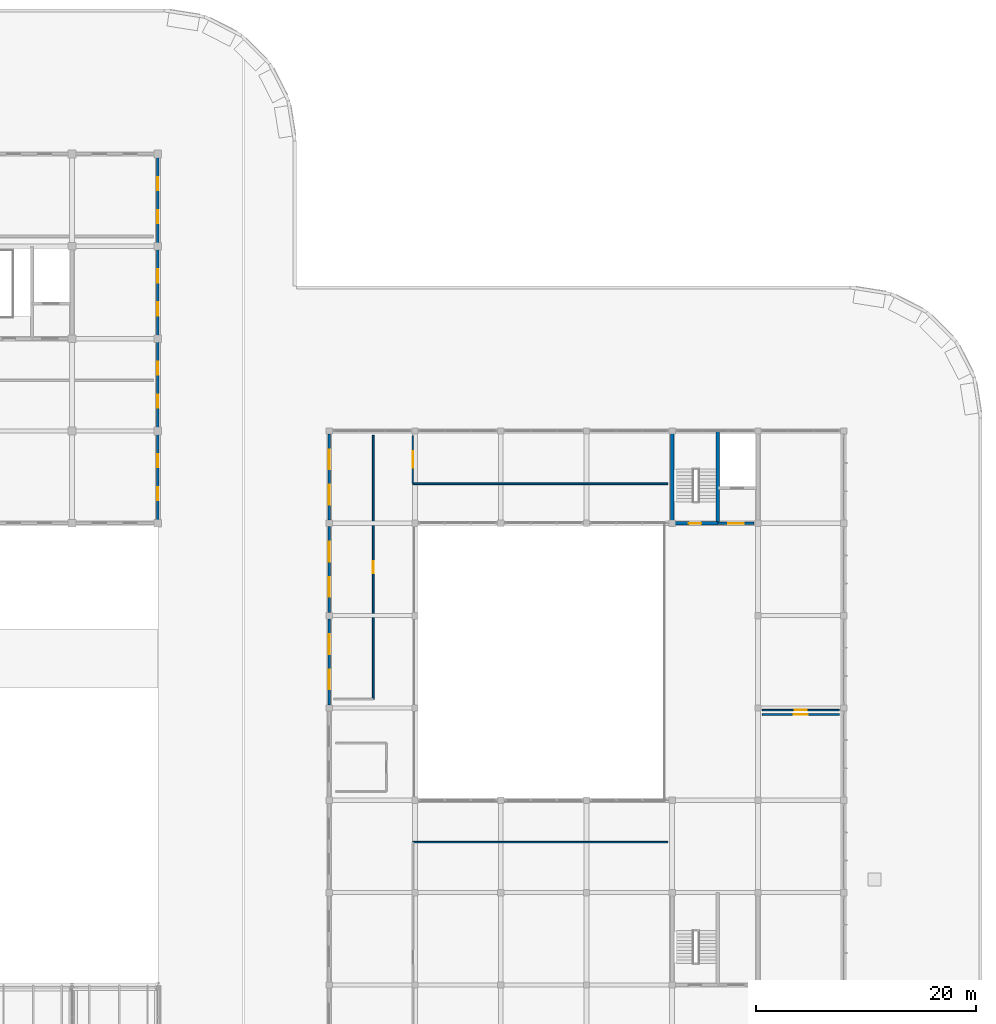
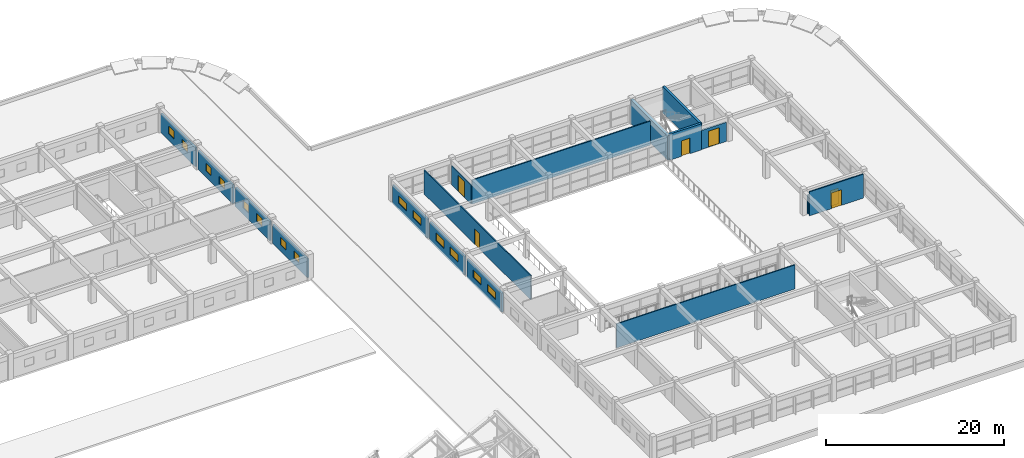
# One storey, part 95 of 101: 17 walls, 14 windows, 6 doors, 20 openings.
"""IFC4 building model written with IfcOpenShell, lengths in metres."""

from ifc_helpers import new_model, si_unit, direction, frame, frame_2d, origin, place, context, subcontext, project, spatial, rectangle, extrude, material, layer, layer_set, type_object, element, fill, save


model = new_model("IFC4")

# Units and contexts
model_context = context("Model", 3, precision=1e-05, world=origin(), true_north=direction((0.0, 1.0)))
body_context = subcontext(model_context, "Body", "Model", "MODEL_VIEW")
ifc_project = project(units=[si_unit("LENGTHUNIT", "METRE"), si_unit("AREAUNIT", "SQUARE_METRE"), si_unit("VOLUMEUNIT", "CUBIC_METRE"), si_unit("PLANEANGLEUNIT", "RADIAN"), si_unit("MASSUNIT", "GRAM", prefix="KILO")], contexts=[model_context])

# Site, building, storey
site_placement = place(None, origin())
site = spatial("IfcSite", under=ifc_project, at=site_placement, CompositionType="ELEMENT")
building_placement = place(site_placement, origin())
building = spatial("IfcBuilding", under=site, at=building_placement, Name="Zizhar Promenade General Hospital", CompositionType="ELEMENT")
storey_placement = place(building_placement, frame((0.0, 0.0, 14.39990234375)))
storey = spatial("IfcBuildingStorey", under=building, at=storey_placement, Name="L03", CompositionType="ELEMENT", Elevation=14.39990234375)

# Wall, openings, windows
ifc_material_1 = material(Name="Precast concrete C40/50", Category="concrete")
ifc_layer_1 = layer(ifc_material_1, 0.235107421875)
ifc_layer_set_1 = layer_set([ifc_layer_1], Name="Precast concrete C40/50")
wall_type_1 = type_object("IfcWallType", Name="EW-CLN-235", PredefinedType="STANDARD", material=ifc_layer_set_1)
wall_1_placement = place(storey_placement, frame((140.39990234375, 75.889892578125, 0.0), z_axis=(0.0, 0.0, 1.0), x_axis=(0.0, 1.0, 0.0)))
wall_1 = element("IfcWall", 1, at=wall_1_placement, inside=storey, type_object=wall_type_1, Name="L03 Clinic Pavilion West Wall 9", PredefinedType="STANDARD", context=body_context, shape_type="SweptSolid", body=[
    extrude(rectangle(XDim=7.820068359375, YDim=0.235107421875, at=frame_2d((3.91015625, 0.0))), origin(), (0.0, 0.0, 1.0), 2.60498046875),
])
opening_1_placement = place(wall_1_placement, frame((1.40673828125, 0.0, 0.89990234375)))
opening_1 = element("IfcOpeningElement", 2, at=opening_1_placement, cuts=wall_1, Name="Opening W-14", PredefinedType="OPENING", context=body_context, shape_type="SweptSolid", body=[
    extrude(rectangle(XDim=1.800048828125, YDim=1.050048828125, at=frame_2d((0.89990234375, 0.52490234375))), frame((0.0, 0.12744140625, 0.0), z_axis=(0.0, -1.0, 0.0), x_axis=(1.0, 0.0, 0.0)), (0.0, 0.0, 1.0), 0.255126953125),
])
opening_2_placement = place(wall_1_placement, frame((4.61328125, 0.0, 0.89990234375)))
opening_2 = element("IfcOpeningElement", 3, at=opening_2_placement, cuts=wall_1, Name="Opening W-14", PredefinedType="OPENING", context=body_context, shape_type="SweptSolid", body=[
    extrude(rectangle(XDim=1.800048828125, YDim=1.050048828125, at=frame_2d((0.89990234375, 0.52490234375))), frame((0.0, 0.12744140625, 0.0), z_axis=(0.0, -1.0, 0.0), x_axis=(1.0, 0.0, 0.0)), (0.0, 0.0, 1.0), 0.255126953125),
])
ifc_material_2 = material(Name="Anodised aluminium 6063-T6 and low-E glass", Category="aluminium")
window_type_1 = type_object("IfcWindowType", Name="WIN-INT-180x105", PartitioningType="DOUBLE_PANEL_HORIZONTAL", PredefinedType="WINDOW", material=ifc_material_2)
window_1_placement = place(opening_1_placement, origin())
window_1 = element("IfcWindow", 4, at=window_1_placement, inside=storey, type_object=window_type_1, Name="L03 Clinic Pavilion West Wall 9 Window 1", OverallHeight=1.050048828125, OverallWidth=1.800048828125, PartitioningType="SINGLE_PANEL", PredefinedType="WINDOW", context=body_context, shape_type="SweptSolid", body=[
    extrude(rectangle(XDim=1.800048828125, YDim=1.050048828125, at=frame_2d((0.89990234375, 0.52490234375))), frame((0.0, 0.030029296875, 0.0), z_axis=(0.0, -1.0, 0.0), x_axis=(1.0, 0.0, 0.0)), (0.0, 0.0, 1.0), 0.06005859375),
])
fill(opening_1, window_1)
window_2_placement = place(opening_2_placement, origin())
window_2 = element("IfcWindow", 5, at=window_2_placement, inside=storey, type_object=window_type_1, Name="L03 Clinic Pavilion West Wall 9 Window 2", OverallHeight=1.050048828125, OverallWidth=1.800048828125, PartitioningType="SINGLE_PANEL", PredefinedType="WINDOW", context=body_context, shape_type="SweptSolid", body=[
    extrude(rectangle(XDim=1.800048828125, YDim=1.050048828125, at=frame_2d((0.89990234375, 0.52490234375))), frame((0.0, 0.030029296875, 0.0), z_axis=(0.0, -1.0, 0.0), x_axis=(1.0, 0.0, 0.0)), (0.0, 0.0, 1.0), 0.06005859375),
])
fill(opening_2, window_2)

wall_2_placement = place(storey_placement, frame((140.39990234375, 84.2900390625, 0.0), z_axis=(0.0, 0.0, 1.0), x_axis=(0.0, 1.0, 0.0)))
wall_2 = element("IfcWall", 6, at=wall_2_placement, inside=storey, type_object=wall_type_1, Name="L03 Clinic Pavilion West Wall 10", PredefinedType="STANDARD", context=body_context, shape_type="SweptSolid", body=[
    extrude(rectangle(XDim=7.820068359375, YDim=0.235107421875, at=frame_2d((3.91015625, 0.0))), origin(), (0.0, 0.0, 1.0), 2.60498046875),
])
opening_3_placement = place(wall_2_placement, frame((1.40673828125, 0.0, 0.89990234375)))
opening_3 = element("IfcOpeningElement", 7, at=opening_3_placement, cuts=wall_2, Name="Opening W-14", PredefinedType="OPENING", context=body_context, shape_type="SweptSolid", body=[
    extrude(rectangle(XDim=1.800048828125, YDim=1.050048828125, at=frame_2d((0.89990234375, 0.52490234375))), frame((0.0, 0.12744140625, 0.0), z_axis=(0.0, -1.0, 0.0), x_axis=(1.0, 0.0, 0.0)), (0.0, 0.0, 1.0), 0.255126953125),
])
opening_4_placement = place(wall_2_placement, frame((4.61328125, 0.0, 0.89990234375)))
opening_4 = element("IfcOpeningElement", 8, at=opening_4_placement, cuts=wall_2, Name="Opening W-14", PredefinedType="OPENING", context=body_context, shape_type="SweptSolid", body=[
    extrude(rectangle(XDim=1.800048828125, YDim=1.050048828125, at=frame_2d((0.89990234375, 0.52490234375))), frame((0.0, 0.12744140625, 0.0), z_axis=(0.0, -1.0, 0.0), x_axis=(1.0, 0.0, 0.0)), (0.0, 0.0, 1.0), 0.255126953125),
])
window_3_placement = place(opening_3_placement, origin())
window_3 = element("IfcWindow", 9, at=window_3_placement, inside=storey, type_object=window_type_1, Name="L03 Clinic Pavilion West Wall 10 Window 1", OverallHeight=1.050048828125, OverallWidth=1.800048828125, PartitioningType="SINGLE_PANEL", PredefinedType="WINDOW", context=body_context, shape_type="SweptSolid", body=[
    extrude(rectangle(XDim=1.800048828125, YDim=1.050048828125, at=frame_2d((0.89990234375, 0.52490234375))), frame((0.0, 0.030029296875, 0.0), z_axis=(0.0, -1.0, 0.0), x_axis=(1.0, 0.0, 0.0)), (0.0, 0.0, 1.0), 0.06005859375),
])
fill(opening_3, window_3)
window_4_placement = place(opening_4_placement, origin())
window_4 = element("IfcWindow", 10, at=window_4_placement, inside=storey, type_object=window_type_1, Name="L03 Clinic Pavilion West Wall 10 Window 2", OverallHeight=1.050048828125, OverallWidth=1.800048828125, PartitioningType="SINGLE_PANEL", PredefinedType="WINDOW", context=body_context, shape_type="SweptSolid", body=[
    extrude(rectangle(XDim=1.800048828125, YDim=1.050048828125, at=frame_2d((0.89990234375, 0.52490234375))), frame((0.0, 0.030029296875, 0.0), z_axis=(0.0, -1.0, 0.0), x_axis=(1.0, 0.0, 0.0)), (0.0, 0.0, 1.0), 0.06005859375),
])
fill(opening_4, window_4)

wall_3_placement = place(storey_placement, frame((140.39990234375, 92.68994140625, 0.0), z_axis=(0.0, 0.0, 1.0), x_axis=(0.0, 1.0, 0.0)))
wall_3 = element("IfcWall", 11, at=wall_3_placement, inside=storey, type_object=wall_type_1, Name="L03 Clinic Pavilion West Wall 11", PredefinedType="STANDARD", context=body_context, shape_type="SweptSolid", body=[
    extrude(rectangle(XDim=7.820068359375, YDim=0.235107421875, at=frame_2d((3.91015625, 0.0))), origin(), (0.0, 0.0, 1.0), 2.60498046875),
])
opening_5_placement = place(wall_3_placement, frame((1.40673828125, 0.0, 0.89990234375)))
opening_5 = element("IfcOpeningElement", 12, at=opening_5_placement, cuts=wall_3, Name="Opening W-14", PredefinedType="OPENING", context=body_context, shape_type="SweptSolid", body=[
    extrude(rectangle(XDim=1.800048828125, YDim=1.050048828125, at=frame_2d((0.89990234375, 0.52490234375))), frame((0.0, 0.12744140625, 0.0), z_axis=(0.0, -1.0, 0.0), x_axis=(1.0, 0.0, 0.0)), (0.0, 0.0, 1.0), 0.255126953125),
])
opening_6_placement = place(wall_3_placement, frame((4.61328125, 0.0, 0.89990234375)))
opening_6 = element("IfcOpeningElement", 13, at=opening_6_placement, cuts=wall_3, Name="Opening W-14", PredefinedType="OPENING", context=body_context, shape_type="SweptSolid", body=[
    extrude(rectangle(XDim=1.800048828125, YDim=1.050048828125, at=frame_2d((0.89990234375, 0.52490234375))), frame((0.0, 0.12744140625, 0.0), z_axis=(0.0, -1.0, 0.0), x_axis=(1.0, 0.0, 0.0)), (0.0, 0.0, 1.0), 0.255126953125),
])
window_5_placement = place(opening_5_placement, origin())
window_5 = element("IfcWindow", 14, at=window_5_placement, inside=storey, type_object=window_type_1, Name="L03 Clinic Pavilion West Wall 11 Window 1", OverallHeight=1.050048828125, OverallWidth=1.800048828125, PartitioningType="SINGLE_PANEL", PredefinedType="WINDOW", context=body_context, shape_type="SweptSolid", body=[
    extrude(rectangle(XDim=1.800048828125, YDim=1.050048828125, at=frame_2d((0.89990234375, 0.52490234375))), frame((0.0, 0.030029296875, 0.0), z_axis=(0.0, -1.0, 0.0), x_axis=(1.0, 0.0, 0.0)), (0.0, 0.0, 1.0), 0.06005859375),
])
fill(opening_5, window_5)
window_6_placement = place(opening_6_placement, origin())
window_6 = element("IfcWindow", 15, at=window_6_placement, inside=storey, type_object=window_type_1, Name="L03 Clinic Pavilion West Wall 11 Window 2", OverallHeight=1.050048828125, OverallWidth=1.800048828125, PartitioningType="SINGLE_PANEL", PredefinedType="WINDOW", context=body_context, shape_type="SweptSolid", body=[
    extrude(rectangle(XDim=1.800048828125, YDim=1.050048828125, at=frame_2d((0.89990234375, 0.52490234375))), frame((0.0, 0.030029296875, 0.0), z_axis=(0.0, -1.0, 0.0), x_axis=(1.0, 0.0, 0.0)), (0.0, 0.0, 1.0), 0.06005859375),
])
fill(opening_6, window_6)

ifc_material_3 = material(Name="Precast concrete C40/50", Category="concrete")
ifc_layer_2 = layer(ifc_material_3, 0.22509765625)
ifc_layer_set_2 = layer_set([ifc_layer_2], Name="Precast concrete C40/50")
wall_type_2 = type_object("IfcWallType", Name="EW-INT-225", PredefinedType="STANDARD", material=ifc_layer_set_2)
wall_4_placement = place(storey_placement, frame((124.800048828125, 100.510009765625, 0.0), z_axis=(0.0, 0.0, 1.0), x_axis=(0.0, -1.0, 0.0)))
wall_4 = element("IfcWall", 16, at=wall_4_placement, inside=storey, type_object=wall_type_2, Name="Surgical Interstitial East Wall 11", PredefinedType="STANDARD", context=body_context, shape_type="SweptSolid", body=[
    extrude(rectangle(XDim=7.820068359375, YDim=0.22509765625, at=frame_2d((3.91015625, 0.0))), origin(), (0.0, 0.0, 1.0), 2.60498046875),
])
opening_7_placement = place(wall_4_placement, frame((1.806640625, 0.0, 0.89990234375)))
opening_7 = element("IfcOpeningElement", 17, at=opening_7_placement, cuts=wall_4, Name="Opening W-15", PredefinedType="OPENING", context=body_context, shape_type="SweptSolid", body=[
    extrude(rectangle(XDim=1.199951171875, YDim=1.050048828125, at=frame_2d((0.60009765625, 0.52490234375))), frame((0.0, 0.12255859375, 0.0), z_axis=(0.0, -1.0, 0.0), x_axis=(1.0, 0.0, 0.0)), (0.0, 0.0, 1.0), 0.2451171875),
])
opening_8_placement = place(wall_4_placement, frame((4.813232421875, 0.0, 0.89990234375)))
opening_8 = element("IfcOpeningElement", 18, at=opening_8_placement, cuts=wall_4, Name="Opening W-15", PredefinedType="OPENING", context=body_context, shape_type="SweptSolid", body=[
    extrude(rectangle(XDim=1.199951171875, YDim=1.050048828125, at=frame_2d((0.60009765625, 0.52490234375))), frame((0.0, 0.12255859375, 0.0), z_axis=(0.0, -1.0, 0.0), x_axis=(1.0, 0.0, 0.0)), (0.0, 0.0, 1.0), 0.2451171875),
])
ifc_material_4 = material(Name="Anodised aluminium 6063-T6 and low-E glass", Category="aluminium")
window_type_2 = type_object("IfcWindowType", Name="WIN-INT-120x105", PartitioningType="SINGLE_PANEL", PredefinedType="WINDOW", material=ifc_material_4)
window_7_placement = place(opening_7_placement, origin())
window_7 = element("IfcWindow", 19, at=window_7_placement, inside=storey, type_object=window_type_2, Name="Surgical Interstitial East Wall 11 Window 1", OverallHeight=1.050048828125, OverallWidth=1.199951171875, PartitioningType="SINGLE_PANEL", PredefinedType="WINDOW", context=body_context, shape_type="SweptSolid", body=[
    extrude(rectangle(XDim=1.199951171875, YDim=1.050048828125, at=frame_2d((0.60009765625, 0.52490234375))), frame((0.0, 0.030029296875, 0.0), z_axis=(0.0, -1.0, 0.0), x_axis=(1.0, 0.0, 0.0)), (0.0, 0.0, 1.0), 0.06005859375),
])
fill(opening_7, window_7)
window_8_placement = place(opening_8_placement, origin())
window_8 = element("IfcWindow", 20, at=window_8_placement, inside=storey, type_object=window_type_2, Name="Surgical Interstitial East Wall 11 Window 2", OverallHeight=1.050048828125, OverallWidth=1.199951171875, PartitioningType="SINGLE_PANEL", PredefinedType="WINDOW", context=body_context, shape_type="SweptSolid", body=[
    extrude(rectangle(XDim=1.199951171875, YDim=1.050048828125, at=frame_2d((0.60009765625, 0.52490234375))), frame((0.0, 0.030029296875, 0.0), z_axis=(0.0, -1.0, 0.0), x_axis=(1.0, 0.0, 0.0)), (0.0, 0.0, 1.0), 0.06005859375),
])
fill(opening_8, window_8)

wall_5_placement = place(storey_placement, frame((124.800048828125, 108.909912109375, 0.0), z_axis=(0.0, 0.0, 1.0), x_axis=(0.0, -1.0, 0.0)))
wall_5 = element("IfcWall", 21, at=wall_5_placement, inside=storey, type_object=wall_type_2, Name="Surgical Interstitial East Wall 12", PredefinedType="STANDARD", context=body_context, shape_type="SweptSolid", body=[
    extrude(rectangle(XDim=7.81982421875, YDim=0.22509765625, at=frame_2d((3.909912109375, 0.0))), origin(), (0.0, 0.0, 1.0), 2.60498046875),
])
opening_9_placement = place(wall_5_placement, frame((1.806640625, 0.0, 0.89990234375)))
opening_9 = element("IfcOpeningElement", 22, at=opening_9_placement, cuts=wall_5, Name="Opening W-15", PredefinedType="OPENING", context=body_context, shape_type="SweptSolid", body=[
    extrude(rectangle(XDim=1.199951171875, YDim=1.050048828125, at=frame_2d((0.60009765625, 0.52490234375))), frame((0.0, 0.12255859375, 0.0), z_axis=(0.0, -1.0, 0.0), x_axis=(1.0, 0.0, 0.0)), (0.0, 0.0, 1.0), 0.2451171875),
])
opening_10_placement = place(wall_5_placement, frame((4.813232421875, 0.0, 0.89990234375)))
opening_10 = element("IfcOpeningElement", 23, at=opening_10_placement, cuts=wall_5, Name="Opening W-15", PredefinedType="OPENING", context=body_context, shape_type="SweptSolid", body=[
    extrude(rectangle(XDim=1.199951171875, YDim=1.050048828125, at=frame_2d((0.60009765625, 0.52490234375))), frame((0.0, 0.12255859375, 0.0), z_axis=(0.0, -1.0, 0.0), x_axis=(1.0, 0.0, 0.0)), (0.0, 0.0, 1.0), 0.2451171875),
])
window_9_placement = place(opening_9_placement, origin())
window_9 = element("IfcWindow", 24, at=window_9_placement, inside=storey, type_object=window_type_2, Name="Surgical Interstitial East Wall 12 Window 1", OverallHeight=1.050048828125, OverallWidth=1.199951171875, PartitioningType="SINGLE_PANEL", PredefinedType="WINDOW", context=body_context, shape_type="SweptSolid", body=[
    extrude(rectangle(XDim=1.199951171875, YDim=1.050048828125, at=frame_2d((0.60009765625, 0.52490234375))), frame((0.0, 0.030029296875, 0.0), z_axis=(0.0, -1.0, 0.0), x_axis=(1.0, 0.0, 0.0)), (0.0, 0.0, 1.0), 0.06005859375),
])
fill(opening_9, window_9)
window_10_placement = place(opening_10_placement, origin())
window_10 = element("IfcWindow", 25, at=window_10_placement, inside=storey, type_object=window_type_2, Name="Surgical Interstitial East Wall 12 Window 2", OverallHeight=1.050048828125, OverallWidth=1.199951171875, PartitioningType="SINGLE_PANEL", PredefinedType="WINDOW", context=body_context, shape_type="SweptSolid", body=[
    extrude(rectangle(XDim=1.199951171875, YDim=1.050048828125, at=frame_2d((0.60009765625, 0.52490234375))), frame((0.0, 0.030029296875, 0.0), z_axis=(0.0, -1.0, 0.0), x_axis=(1.0, 0.0, 0.0)), (0.0, 0.0, 1.0), 0.06005859375),
])
fill(opening_10, window_10)

wall_6_placement = place(storey_placement, frame((124.800048828125, 117.31005859375, 0.0), z_axis=(0.0, 0.0, 1.0), x_axis=(0.0, -1.0, 0.0)))
wall_6 = element("IfcWall", 26, at=wall_6_placement, inside=storey, type_object=wall_type_2, Name="Surgical Interstitial East Wall 13", PredefinedType="STANDARD", context=body_context, shape_type="SweptSolid", body=[
    extrude(rectangle(XDim=7.820068359375, YDim=0.22509765625, at=frame_2d((3.91015625, 0.0))), origin(), (0.0, 0.0, 1.0), 2.60498046875),
])
opening_11_placement = place(wall_6_placement, frame((1.806640625, 0.0, 0.89990234375)))
opening_11 = element("IfcOpeningElement", 27, at=opening_11_placement, cuts=wall_6, Name="Opening W-15", PredefinedType="OPENING", context=body_context, shape_type="SweptSolid", body=[
    extrude(rectangle(XDim=1.199951171875, YDim=1.050048828125, at=frame_2d((0.60009765625, 0.52490234375))), frame((0.0, 0.12255859375, 0.0), z_axis=(0.0, -1.0, 0.0), x_axis=(1.0, 0.0, 0.0)), (0.0, 0.0, 1.0), 0.2451171875),
])
opening_12_placement = place(wall_6_placement, frame((4.813232421875, 0.0, 0.89990234375)))
opening_12 = element("IfcOpeningElement", 28, at=opening_12_placement, cuts=wall_6, Name="Opening W-15", PredefinedType="OPENING", context=body_context, shape_type="SweptSolid", body=[
    extrude(rectangle(XDim=1.199951171875, YDim=1.050048828125, at=frame_2d((0.60009765625, 0.52490234375))), frame((0.0, 0.12255859375, 0.0), z_axis=(0.0, -1.0, 0.0), x_axis=(1.0, 0.0, 0.0)), (0.0, 0.0, 1.0), 0.2451171875),
])
window_11_placement = place(opening_11_placement, origin())
window_11 = element("IfcWindow", 29, at=window_11_placement, inside=storey, type_object=window_type_2, Name="Surgical Interstitial East Wall 13 Window 1", OverallHeight=1.050048828125, OverallWidth=1.199951171875, PartitioningType="SINGLE_PANEL", PredefinedType="WINDOW", context=body_context, shape_type="SweptSolid", body=[
    extrude(rectangle(XDim=1.199951171875, YDim=1.050048828125, at=frame_2d((0.60009765625, 0.52490234375))), frame((0.0, 0.030029296875, 0.0), z_axis=(0.0, -1.0, 0.0), x_axis=(1.0, 0.0, 0.0)), (0.0, 0.0, 1.0), 0.06005859375),
])
fill(opening_11, window_11)
window_12_placement = place(opening_12_placement, origin())
window_12 = element("IfcWindow", 30, at=window_12_placement, inside=storey, type_object=window_type_2, Name="Surgical Interstitial East Wall 13 Window 2", OverallHeight=1.050048828125, OverallWidth=1.199951171875, PartitioningType="SINGLE_PANEL", PredefinedType="WINDOW", context=body_context, shape_type="SweptSolid", body=[
    extrude(rectangle(XDim=1.199951171875, YDim=1.050048828125, at=frame_2d((0.60009765625, 0.52490234375))), frame((0.0, 0.030029296875, 0.0), z_axis=(0.0, -1.0, 0.0), x_axis=(1.0, 0.0, 0.0)), (0.0, 0.0, 1.0), 0.06005859375),
])
fill(opening_12, window_12)

wall_7_placement = place(storey_placement, frame((124.800048828125, 125.7099609375, 0.0), z_axis=(0.0, 0.0, 1.0), x_axis=(0.0, -1.0, 0.0)))
wall_7 = element("IfcWall", 31, at=wall_7_placement, inside=storey, type_object=wall_type_2, Name="Surgical Interstitial East Wall 14", PredefinedType="STANDARD", context=body_context, shape_type="SweptSolid", body=[
    extrude(rectangle(XDim=7.820068359375, YDim=0.22509765625, at=frame_2d((3.91015625, 0.0))), origin(), (0.0, 0.0, 1.0), 2.60498046875),
])
opening_13_placement = place(wall_7_placement, frame((1.806640625, 0.0, 0.89990234375)))
opening_13 = element("IfcOpeningElement", 32, at=opening_13_placement, cuts=wall_7, Name="Opening W-15", PredefinedType="OPENING", context=body_context, shape_type="SweptSolid", body=[
    extrude(rectangle(XDim=1.199951171875, YDim=1.050048828125, at=frame_2d((0.60009765625, 0.52490234375))), frame((0.0, 0.12255859375, 0.0), z_axis=(0.0, -1.0, 0.0), x_axis=(1.0, 0.0, 0.0)), (0.0, 0.0, 1.0), 0.2451171875),
])
opening_14_placement = place(wall_7_placement, frame((4.813232421875, 0.0, 0.89990234375)))
opening_14 = element("IfcOpeningElement", 33, at=opening_14_placement, cuts=wall_7, Name="Opening W-15", PredefinedType="OPENING", context=body_context, shape_type="SweptSolid", body=[
    extrude(rectangle(XDim=1.199951171875, YDim=1.050048828125, at=frame_2d((0.60009765625, 0.52490234375))), frame((0.0, 0.12255859375, 0.0), z_axis=(0.0, -1.0, 0.0), x_axis=(1.0, 0.0, 0.0)), (0.0, 0.0, 1.0), 0.2451171875),
])
window_13_placement = place(opening_13_placement, origin())
window_13 = element("IfcWindow", 34, at=window_13_placement, inside=storey, type_object=window_type_2, Name="Surgical Interstitial East Wall 14 Window 1", OverallHeight=1.050048828125, OverallWidth=1.199951171875, PartitioningType="SINGLE_PANEL", PredefinedType="WINDOW", context=body_context, shape_type="SweptSolid", body=[
    extrude(rectangle(XDim=1.199951171875, YDim=1.050048828125, at=frame_2d((0.60009765625, 0.52490234375))), frame((0.0, 0.030029296875, 0.0), z_axis=(0.0, -1.0, 0.0), x_axis=(1.0, 0.0, 0.0)), (0.0, 0.0, 1.0), 0.06005859375),
])
fill(opening_13, window_13)
window_14_placement = place(opening_14_placement, origin())
window_14 = element("IfcWindow", 35, at=window_14_placement, inside=storey, type_object=window_type_2, Name="Surgical Interstitial East Wall 14 Window 2", OverallHeight=1.050048828125, OverallWidth=1.199951171875, PartitioningType="SINGLE_PANEL", PredefinedType="WINDOW", context=body_context, shape_type="SweptSolid", body=[
    extrude(rectangle(XDim=1.199951171875, YDim=1.050048828125, at=frame_2d((0.60009765625, 0.52490234375))), frame((0.0, 0.030029296875, 0.0), z_axis=(0.0, -1.0, 0.0), x_axis=(1.0, 0.0, 0.0)), (0.0, 0.0, 1.0), 0.06005859375),
])
fill(opening_14, window_14)

# Wall, opening, door
ifc_material_5 = material(Name="Clinical consultation partition")
ifc_layer_3 = layer(ifc_material_5, 0.14501953125)
ifc_layer_set_3 = layer_set([ifc_layer_3], Name="Clinical consultation partition")
wall_type_3 = type_object("IfcWallType", Name="IW-CLN-145", PredefinedType="PARTITIONING", material=ifc_layer_set_3)
wall_8_placement = place(storey_placement, frame((144.39990234375, 76.39990234375, 0.0), z_axis=(0.0, 0.0, 1.0), x_axis=(0.0, 1.0, 0.0)))
wall_8 = element("IfcWall", 36, at=wall_8_placement, inside=storey, type_object=wall_type_3, Name="Outpatient Oncology Day Chemotherapy Clinic E Partition", PredefinedType="PARTITIONING", context=body_context, shape_type="SweptSolid", body=[
    extrude(rectangle(XDim=24.0, YDim=0.14501953125, at=frame_2d((12.0, 0.0))), origin(), (0.0, 0.0, 1.0), 3.300048828125),
])
opening_15_placement = place(wall_8_placement, frame((11.449951171875, 0.0, 0.0)))
opening_15 = element("IfcOpeningElement", 37, at=opening_15_placement, cuts=wall_8, Name="Opening D-14", PredefinedType="OPENING", context=body_context, shape_type="SweptSolid", body=[
    extrude(rectangle(XDim=1.10009765625, YDim=2.14990234375, at=frame_2d((0.550048828125, 1.074951171875))), frame((0.0, 0.08251953125, 0.0), z_axis=(0.0, -1.0, 0.0), x_axis=(1.0, 0.0, 0.0)), (0.0, 0.0, 1.0), 0.1650390625),
])
ifc_material_6 = material(Name="Fire-rated timber consultation leaf", Category="wood")
door_type_1 = type_object("IfcDoorType", Name="DR-CLN-CONS-110x215", OperationType="NOTDEFINED", PredefinedType="DOOR", material=ifc_material_6)
door_1_placement = place(opening_15_placement, origin())
door_1 = element("IfcDoor", 38, at=door_1_placement, inside=storey, type_object=door_type_1, Name="Outpatient Oncology Day Chemotherapy Clinic Door", OperationType="SINGLE_SWING_LEFT", OverallHeight=2.14990234375, OverallWidth=1.10009765625, PredefinedType="DOOR", context=body_context, shape_type="SweptSolid", body=[
    extrude(rectangle(XDim=1.10009765625, YDim=2.14990234375, at=frame_2d((0.550048828125, 1.074951171875))), frame((0.0, 0.02490234375, 0.0), z_axis=(0.0, -1.0, 0.0), x_axis=(1.0, 0.0, 0.0)), (0.0, 0.0, 1.0), 0.050048828125),
])
fill(opening_15, door_1)

# Wall
wall_9_placement = place(storey_placement, frame((148.0, 63.39990234375, 0.0), z_axis=(0.0, 0.0, 1.0), x_axis=(1.0, 0.0, 0.0)))
element("IfcWall", 39, at=wall_9_placement, inside=storey, type_object=wall_type_3, Name="Outpatient Diabetes and Endocrinology Clinic N Partition", PredefinedType="PARTITIONING", context=body_context, shape_type="SweptSolid", body=[
    extrude(rectangle(XDim=23.199951171875, YDim=0.14501953125, at=frame_2d((11.60009765625, 0.0))), origin(), (0.0, 0.0, 1.0), 3.300048828125),
])

# Wall, opening, door
wall_10_placement = place(storey_placement, frame((179.800048828125, 75.39990234375, 0.0), z_axis=(0.0, 0.0, 1.0), x_axis=(1.0, 0.0, 0.0)))
wall_10 = element("IfcWall", 40, at=wall_10_placement, inside=storey, type_object=wall_type_3, Name="Outpatient Renal Dialysis Clinic Consultation Rooms S Partition", PredefinedType="PARTITIONING", context=body_context, shape_type="SweptSolid", body=[
    extrude(rectangle(XDim=7.0, YDim=0.14501953125, at=frame_2d((3.5, 0.0))), origin(), (0.0, 0.0, 1.0), 2.6201171875),
])
opening_16_placement = place(wall_10_placement, frame((2.949951171875, 0.0, 0.0)))
opening_16 = element("IfcOpeningElement", 41, at=opening_16_placement, cuts=wall_10, Name="Opening D-14", PredefinedType="OPENING", context=body_context, shape_type="SweptSolid", body=[
    extrude(rectangle(XDim=1.10009765625, YDim=2.14990234375, at=frame_2d((0.550048828125, 1.074951171875))), frame((0.0, 0.08251953125, 0.0), z_axis=(0.0, -1.0, 0.0), x_axis=(1.0, 0.0, 0.0)), (0.0, 0.0, 1.0), 0.1650390625),
])
door_2_placement = place(opening_16_placement, origin())
door_2 = element("IfcDoor", 42, at=door_2_placement, inside=storey, type_object=door_type_1, Name="Outpatient Renal Dialysis Clinic Consultation Rooms Door", OperationType="SINGLE_SWING_RIGHT", OverallHeight=2.14990234375, OverallWidth=1.10009765625, PredefinedType="DOOR", context=body_context, shape_type="SweptSolid", body=[
    extrude(rectangle(XDim=1.10009765625, YDim=2.14990234375, at=frame_2d((0.550048828125, 1.074951171875))), frame((0.0, 0.02490234375, 0.0), z_axis=(0.0, -1.0, 0.0), x_axis=(1.0, 0.0, 0.0)), (0.0, 0.0, 1.0), 0.050048828125),
])
fill(opening_16, door_2)

# Wall
wall_11_placement = place(storey_placement, frame((148.0, 96.0, 0.0), z_axis=(0.0, 0.0, 1.0), x_axis=(1.0, 0.0, 0.0)))
element("IfcWall", 43, at=wall_11_placement, inside=storey, type_object=wall_type_3, Name="Accessible Clinic Waiting and Lounge L03 S Partition", PredefinedType="PARTITIONING", context=body_context, shape_type="SweptSolid", body=[
    extrude(rectangle(XDim=23.199951171875, YDim=0.14501953125, at=frame_2d((11.60009765625, 0.0))), origin(), (0.0, 0.0, 1.0), 3.300048828125),
])

# Wall, opening, door
wall_12_placement = place(storey_placement, frame((148.0, 96.0, 0.0), z_axis=(0.0, 0.0, 1.0), x_axis=(0.0, 1.0, 0.0)))
wall_12 = element("IfcWall", 44, at=wall_12_placement, inside=storey, type_object=wall_type_3, Name="Accessible Clinic Waiting and Lounge L03 W Partition", PredefinedType="PARTITIONING", context=body_context, shape_type="SweptSolid", body=[
    extrude(rectangle(XDim=4.39990234375, YDim=0.14501953125, at=frame_2d((2.199951171875, 0.0))), origin(), (0.0, 0.0, 1.0), 2.60498046875),
])
opening_17_placement = place(wall_12_placement, frame((1.43994140625, 0.0, 0.0)))
opening_17 = element("IfcOpeningElement", 45, at=opening_17_placement, cuts=wall_12, Name="Opening D-28", PredefinedType="OPENING", context=body_context, shape_type="SweptSolid", body=[
    extrude(rectangle(XDim=1.52001953125, YDim=2.199951171875, at=frame_2d((0.760009765625, 1.10009765625))), frame((0.0, 0.08251953125, 0.0), z_axis=(0.0, -1.0, 0.0), x_axis=(1.0, 0.0, 0.0)), (0.0, 0.0, 1.0), 0.1650390625),
])
ifc_material_7 = material(Name="Fire-rated timber glazed lounge pair", Category="wood")
door_type_2 = type_object("IfcDoorType", Name="DR-LOUNGE-152x220", OperationType="DOUBLE_DOOR_SINGLE_SWING", PredefinedType="DOOR", material=ifc_material_7)
door_3_placement = place(opening_17_placement, origin())
door_3 = element("IfcDoor", 46, at=door_3_placement, inside=storey, type_object=door_type_2, Name="Accessible Clinic Waiting and Lounge L03 Door", OperationType="DOUBLE_DOOR_SINGLE_SWING", OverallHeight=2.199951171875, OverallWidth=1.52001953125, PredefinedType="DOOR", context=body_context, shape_type="SweptSolid", body=[
    extrude(rectangle(XDim=1.52001953125, YDim=2.199951171875, at=frame_2d((0.760009765625, 1.10009765625))), frame((0.0, 0.02490234375, 0.0), z_axis=(0.0, -1.0, 0.0), x_axis=(1.0, 0.0, 0.0)), (0.0, 0.0, 1.0), 0.050048828125),
])
fill(opening_17, door_3)

ifc_material_8 = material(Name="Concrete C35/45", Category="concrete")
ifc_layer_4 = layer(ifc_material_8, 0.215087890625)
ifc_layer_set_4 = layer_set([ifc_layer_4], Name="Concrete C35/45")
wall_type_4 = type_object("IfcWallType", Name="IW-LOBBY-215", PredefinedType="STANDARD", material=ifc_layer_set_4)
wall_13_placement = place(storey_placement, frame((175.75, 92.39990234375, 0.0), z_axis=(0.0, 0.0, 1.0), x_axis=(1.0, 0.0, 0.0)))
wall_13 = element("IfcWall", 47, at=wall_13_placement, inside=storey, type_object=wall_type_4, Name="Core C8 Lift Lobby South Fire Wall (L03)", PredefinedType="STANDARD", context=body_context, shape_type="SweptSolid", body=[
    extrude(rectangle(XDim=3.2900390625, YDim=0.215087890625, at=frame_2d((1.64501953125, 0.0))), origin(), (0.0, 0.0, 1.0), 2.6201171875),
])
opening_18_placement = place(wall_13_placement, frame((0.925048828125, 0.0, 0.0)))
opening_18 = element("IfcOpeningElement", 48, at=opening_18_placement, cuts=wall_13, Name="Opening D-23", PredefinedType="OPENING", context=body_context, shape_type="SweptSolid", body=[
    extrude(rectangle(XDim=1.43994140625, YDim=2.199951171875, at=frame_2d((0.719970703125, 1.10009765625))), frame((0.0, 0.11767578125, 0.0), z_axis=(0.0, -1.0, 0.0), x_axis=(1.0, 0.0, 0.0)), (0.0, 0.0, 1.0), 0.235107421875),
])
ifc_material_9 = material(Name="Fire-rated timber lift lobby pair", Category="wood")
door_type_3 = type_object("IfcDoorType", Name="DR-LOBBY-PR-144x220", OperationType="DOUBLE_DOOR_SINGLE_SWING", PredefinedType="DOOR", material=ifc_material_9)
door_4_placement = place(opening_18_placement, origin())
door_4 = element("IfcDoor", 49, at=door_4_placement, inside=storey, type_object=door_type_3, Name="Core C8 Protected Lift Lobby Door (L03)", OperationType="DOUBLE_DOOR_SINGLE_SWING", OverallHeight=2.199951171875, OverallWidth=1.43994140625, PredefinedType="DOOR", context=body_context, shape_type="SweptSolid", body=[
    extrude(rectangle(XDim=1.43994140625, YDim=2.199951171875, at=frame_2d((0.719970703125, 1.10009765625))), frame((0.0, 0.02490234375, 0.0), z_axis=(0.0, -1.0, 0.0), x_axis=(1.0, 0.0, 0.0)), (0.0, 0.0, 1.0), 0.050048828125),
])
fill(opening_18, door_4)

ifc_material_10 = material(Name="Acoustic patient bedroom partition")
ifc_layer_5 = layer(ifc_material_10, 0.155029296875)
ifc_layer_set_5 = layer_set([ifc_layer_5], Name="Acoustic patient bedroom partition")
wall_type_5 = type_object("IfcWallType", Name="IW-WARD-155", PredefinedType="PARTITIONING", material=ifc_layer_set_5)
wall_14_placement = place(storey_placement, frame((179.800048828125, 75.0, 0.0), z_axis=(0.0, 0.0, 1.0), x_axis=(1.0, 0.0, 0.0)))
wall_14 = element("IfcWall", 50, at=wall_14_placement, inside=storey, type_object=wall_type_5, Name="Outpatient Paediatric Specialist Clinic N Partition", PredefinedType="PARTITIONING", context=body_context, shape_type="SweptSolid", body=[
    extrude(rectangle(XDim=7.0, YDim=0.155029296875, at=frame_2d((3.5, 0.0))), origin(), (0.0, 0.0, 1.0), 3.300048828125),
])
opening_19_placement = place(wall_14_placement, frame((2.85009765625, 0.0, 0.0)))
opening_19 = element("IfcOpeningElement", 51, at=opening_19_placement, cuts=wall_14, Name="Opening D-09", PredefinedType="OPENING", context=body_context, shape_type="SweptSolid", body=[
    extrude(rectangle(XDim=1.300048828125, YDim=2.14990234375, at=frame_2d((0.64990234375, 1.074951171875))), frame((0.0, 0.08740234375, 0.0), z_axis=(0.0, -1.0, 0.0), x_axis=(1.0, 0.0, 0.0)), (0.0, 0.0, 1.0), 0.175048828125),
])
ifc_material_11 = material(Name="Fire-rated timber paediatric bed leaf", Category="wood")
door_type_4 = type_object("IfcDoorType", Name="DR-BED-PAED-130x215", OperationType="NOTDEFINED", PredefinedType="DOOR", material=ifc_material_11)
door_5_placement = place(opening_19_placement, origin())
door_5 = element("IfcDoor", 52, at=door_5_placement, inside=storey, type_object=door_type_4, Name="Outpatient Paediatric Specialist Clinic Door", OperationType="SINGLE_SWING_LEFT", OverallHeight=2.14990234375, OverallWidth=1.300048828125, PredefinedType="DOOR", context=body_context, shape_type="SweptSolid", body=[
    extrude(rectangle(XDim=1.300048828125, YDim=2.14990234375, at=frame_2d((0.64990234375, 1.074951171875))), frame((0.0, 0.02490234375, 0.0), z_axis=(0.0, -1.0, 0.0), x_axis=(1.0, 0.0, 0.0)), (0.0, 0.0, 1.0), 0.050048828125),
])
fill(opening_19, door_5)

ifc_material_12 = material(Name="Concrete C40/50", Category="concrete")
ifc_layer_6 = layer(ifc_material_12, 0.300048828125)
ifc_layer_set_6 = layer_set([ifc_layer_6], Name="Concrete C40/50")
wall_type_6 = type_object("IfcWallType", Name="WL-CORE-300", PredefinedType="SHEAR", material=ifc_layer_set_6)
wall_15_placement = place(storey_placement, frame((171.60009765625, 92.39990234375, 0.0), z_axis=(0.0, 0.0, 1.0), x_axis=(1.0, 0.0, 0.0)))
wall_15 = element("IfcWall", 53, at=wall_15_placement, inside=storey, type_object=wall_type_6, Name="Core C8 Stair South Fire Wall (L03)", PredefinedType="SHEAR", context=body_context, shape_type="SweptSolid", body=[
    extrude(rectangle(XDim=4.14990234375, YDim=0.300048828125, at=frame_2d((2.074951171875, 0.0))), origin(), (0.0, 0.0, 1.0), 3.60009765625),
])
opening_20_placement = place(wall_15_placement, frame((1.514892578125, 0.0, 0.0)))
opening_20 = element("IfcOpeningElement", 54, at=opening_20_placement, cuts=wall_15, Name="Opening D-21", PredefinedType="OPENING", context=body_context, shape_type="SweptSolid", body=[
    extrude(rectangle(XDim=1.1201171875, YDim=2.14990234375, at=frame_2d((0.56005859375, 1.074951171875))), frame((0.0, 0.16015625, 0.0), z_axis=(0.0, -1.0, 0.0), x_axis=(1.0, 0.0, 0.0)), (0.0, 0.0, 1.0), 0.320068359375),
])
ifc_material_13 = material(Name="Steel S355 protected stair door", Category="steel")
door_type_5 = type_object("IfcDoorType", Name="DR-STAIR-112x215", OperationType="NOTDEFINED", PredefinedType="DOOR", material=ifc_material_13)
door_6_placement = place(opening_20_placement, origin())
door_6 = element("IfcDoor", 55, at=door_6_placement, inside=storey, type_object=door_type_5, Name="Exit Stair ST-08 Door (L03)", OperationType="SINGLE_SWING_LEFT", OverallHeight=2.14990234375, OverallWidth=1.1201171875, PredefinedType="DOOR", context=body_context, shape_type="SweptSolid", body=[
    extrude(rectangle(XDim=1.1201171875, YDim=2.14990234375, at=frame_2d((0.56005859375, 1.074951171875))), frame((0.0, 0.02490234375, 0.0), z_axis=(0.0, -1.0, 0.0), x_axis=(1.0, 0.0, 0.0)), (0.0, 0.0, 1.0), 0.050048828125),
])
fill(opening_20, door_6)

# Walls
wall_16_placement = place(storey_placement, frame((175.75, 92.39990234375, 0.0), z_axis=(0.0, 0.0, 1.0), x_axis=(0.0, 1.0, 0.0)))
element("IfcWall", 56, at=wall_16_placement, inside=storey, type_object=wall_type_6, Name="Core C8 Stair-Shaft Separation Wall (L03)", PredefinedType="SHEAR", context=body_context, shape_type="SweptSolid", body=[
    extrude(rectangle(XDim=8.400146484375, YDim=0.300048828125, at=frame_2d((4.2001953125, 0.0))), origin(), (0.0, 0.0, 1.0), 3.60009765625),
])
ifc_material_14 = material(Name="Concrete C40/50", Category="concrete")
ifc_layer_7 = layer(ifc_material_14, 0.35009765625)
ifc_layer_set_7 = layer_set([ifc_layer_7], Name="Concrete C40/50")
wall_type_7 = type_object("IfcWallType", Name="WL-CORE-350", PredefinedType="SHEAR", material=ifc_layer_set_7)
wall_17_placement = place(storey_placement, frame((171.60009765625, 92.39990234375, 0.0), z_axis=(0.0, 0.0, 1.0), x_axis=(0.0, 1.0, 0.0)))
element("IfcWall", 57, at=wall_17_placement, inside=storey, type_object=wall_type_7, Name="Core C8 West Shear Wall L03", PredefinedType="SHEAR", context=body_context, shape_type="SweptSolid", body=[
    extrude(rectangle(XDim=8.400146484375, YDim=0.35009765625, at=frame_2d((4.2001953125, 0.0))), origin(), (0.0, 0.0, 1.0), 3.280029296875),
])

save(model, "model.ifc")
